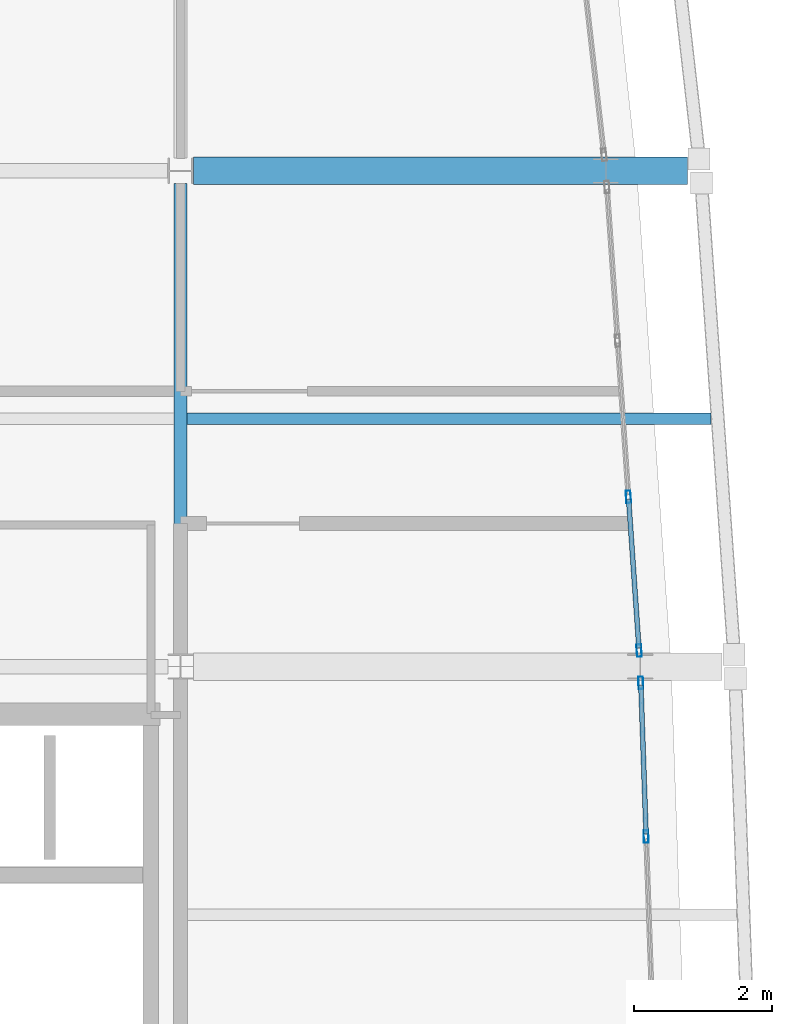
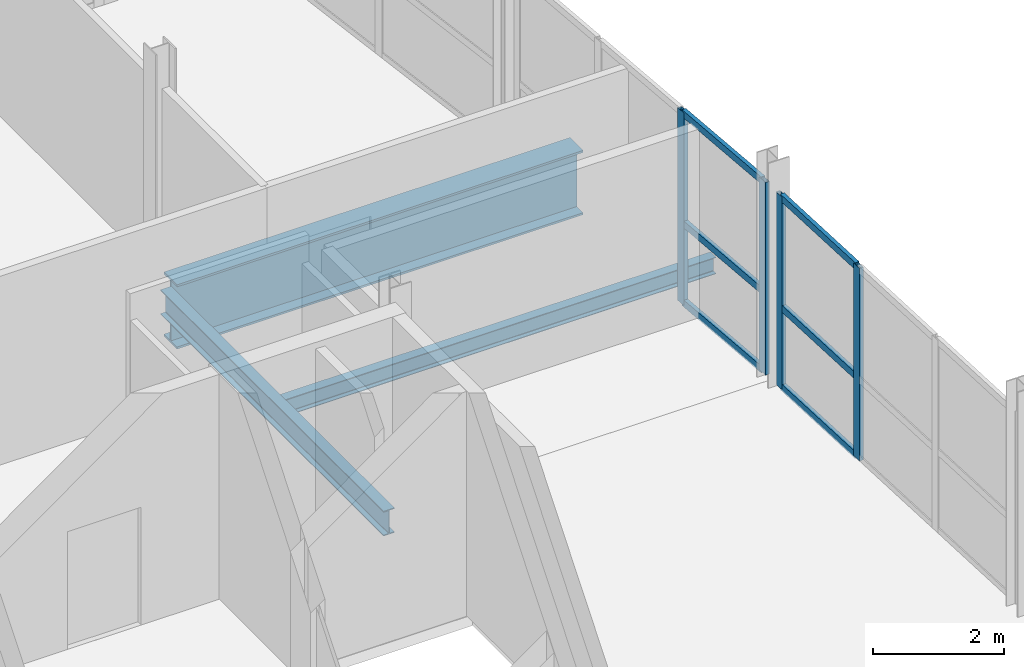
# One storey, part 8 of 19: 10 members, 3 beams, 2 elements without a shape of their own.
"""IFC4 building model written with IfcOpenShell, lengths in metres."""

import ifcopenshell
import ifcopenshell.guid

model = None  # the IFC model being written
_history = None  # IfcOwnerHistory: only IFC2X3 demands one
_inside = {}  # id of a spatial element -> (the spatial element, [elements in it])
_under = {}  # id of a project, library or spatial element -> (it, [spatial elements below it])
_declared = {}  # id of a project -> (the project, [libraries it declares])
_typed = {}  # id of a type object -> (the type object, [elements of that type])
_made_of = {}  # id of a material, layer set ... -> (it, [elements and type objects made of it])


def new_model(schema):
    """Start an empty IFC model of exactly this schema.

    Asked for "IFC4X3", IfcOpenShell would pick the latest addendum, in which some entities
    have other attributes; the version numbers below select the first issue.
    IFC2X3 requires an IfcOwnerHistory on every rooted entity: one is made here for all.
    """
    global model, _history
    if schema == "IFC4X3":
        model = ifcopenshell.file(schema_version=(4, 3, 0, 0))
    else:
        model = ifcopenshell.file(schema=schema)
    _inside.clear()
    _under.clear()
    _declared.clear()
    _typed.clear()
    _made_of.clear()
    _history = None
    if model.schema == "IFC2X3":
        org = make("IfcOrganization", Name="unknown")
        user = make(
            "IfcPersonAndOrganization",
            ThePerson=make("IfcPerson", FamilyName="unknown"),
            TheOrganization=org,
        )
        app = make(
            "IfcApplication",
            ApplicationDeveloper=org,
            Version="unknown",
            ApplicationFullName="unknown",
            ApplicationIdentifier="unknown",
        )
        _history = make(
            "IfcOwnerHistory",
            OwningUser=user,
            OwningApplication=app,
            ChangeAction="ADDED",
            CreationDate=0,
        )
    return model


def make(cls, **values):
    """One entity of the class cls with the attributes given. An attribute that is None is left unset."""
    return model.create_entity(
        cls, **{name: value for name, value in values.items() if value is not None}
    )


def rooted(cls, **values):
    """An entity with a GlobalId (a new one), such as an element, a storey or a relation."""
    return make(cls, GlobalId=ifcopenshell.guid.new(), OwnerHistory=_history, **values)


def si_unit(unit_type, name, prefix=None):
    """IfcSIUnit, for example si_unit("LENGTHUNIT", "METRE", prefix="MILLI")."""
    return make("IfcSIUnit", UnitType=unit_type, Prefix=prefix, Name=name)


def assignment(units):
    """IfcUnitAssignment: the units of a project."""
    return None if units is None else make("IfcUnitAssignment", Units=units)


def point(xyz):
    """IfcCartesianPoint."""
    return None if xyz is None else make("IfcCartesianPoint", Coordinates=xyz)


def direction(xyz):
    """IfcDirection."""
    return None if xyz is None else make("IfcDirection", DirectionRatios=xyz)


def frame(location, z_axis=None, x_axis=None):
    """IfcAxis2Placement3D, a coordinate frame: its origin and axes. An axis left out is left unset."""
    return make(
        "IfcAxis2Placement3D",
        Location=point(location),
        Axis=direction(z_axis),
        RefDirection=direction(x_axis),
    )


def frame_2d(location, x_axis=None):
    """IfcAxis2Placement2D, a coordinate frame in the plane: its origin and x axis."""
    return make(
        "IfcAxis2Placement2D", Location=point(location), RefDirection=direction(x_axis)
    )


def origin():
    """The frame at (0, 0, 0) with its axes left unset."""
    return frame((0.0, 0.0, 0.0))


def origin_2d():
    """The frame at (0, 0) in the plane with its x axis left unset."""
    return frame_2d((0.0, 0.0))


def place(relative_to, where):
    """IfcLocalPlacement: puts the frame where relative to a parent placement (None: the world)."""
    return make(
        "IfcLocalPlacement", PlacementRelTo=relative_to, RelativePlacement=where
    )


def context(
    kind, dimensions, precision=None, world=None, true_north=None, identifier=None
):
    """IfcGeometricRepresentationContext, for example the 3D "Model" context."""
    return make(
        "IfcGeometricRepresentationContext",
        ContextIdentifier=identifier,
        ContextType=kind,
        CoordinateSpaceDimension=dimensions,
        Precision=precision,
        WorldCoordinateSystem=world,
        TrueNorth=true_north,
    )


def subcontext(parent, identifier, kind, view, scale=None):
    """IfcGeometricRepresentationSubContext, for example "Body" below "Model"."""
    return make(
        "IfcGeometricRepresentationSubContext",
        ContextIdentifier=identifier,
        ContextType=kind,
        ParentContext=parent,
        TargetScale=scale,
        TargetView=view,
    )


def project(units=None, contexts=None):
    """IfcProject with its units and contexts."""
    return rooted(
        "IfcProject",
        Name="project",
        RepresentationContexts=contexts,
        UnitsInContext=assignment(units),
    )


def spatial(cls, under=None, at=None, **own):
    """A site, building, storey or space (cls), placed at a placement, below another one or the project."""
    s = rooted(cls, ObjectPlacement=at, **own)
    if under is not None:
        _under.setdefault(under.id(), (under, []))[1].append(s)
    return s


def profile(cls, at=None, kind="AREA", **sizes):
    """A parametric profile (cls). Its sizes go by their IFC names, for example OverallWidth=200.0."""
    return make(cls, ProfileType=kind, Position=at, **sizes)


def hollow_rectangle(**sizes):
    """IfcRectangleHollowProfileDef."""
    return profile("IfcRectangleHollowProfileDef", **sizes)


def i_section(**sizes):
    """IfcIShapeProfileDef."""
    return profile("IfcIShapeProfileDef", **sizes)


def extrude(swept, where, along, depth):
    """IfcExtrudedAreaSolid: the profile swept, set in the frame where, extruded along a direction by depth."""
    return make(
        "IfcExtrudedAreaSolid",
        SweptArea=swept,
        Position=where,
        ExtrudedDirection=direction(along),
        Depth=depth,
    )


def shape(context_of_items, identifier, shape_type, items):
    """IfcShapeRepresentation: the items that make up one representation, for example the "Body"."""
    return make(
        "IfcShapeRepresentation",
        ContextOfItems=context_of_items,
        RepresentationIdentifier=identifier,
        RepresentationType=shape_type,
        Items=items,
    )


def material(Name=None, Category=None):
    """IfcMaterial."""
    return make("IfcMaterial", Name=Name, Category=Category)


def layer(
    of_material, thickness, ventilated=None, Name=None, Category=None, Priority=None
):
    """IfcMaterialLayer: one layer of a wall or slab, of a material (None: an air gap)."""
    return make(
        "IfcMaterialLayer",
        Material=of_material,
        LayerThickness=thickness,
        IsVentilated=ventilated,
        Name=Name,
        Category=Category,
        Priority=Priority,
    )


def layer_set(layers, Name=None):
    """IfcMaterialLayerSet."""
    return make("IfcMaterialLayerSet", MaterialLayers=layers, LayerSetName=Name)


def material_profile(
    of_material, cross_section, Name=None, Category=None, Priority=None
):
    """IfcMaterialProfile: a cross section and its material."""
    return make(
        "IfcMaterialProfile",
        Name=Name,
        Material=of_material,
        Profile=cross_section,
        Priority=Priority,
        Category=Category,
    )


def profile_set(profiles, Name=None, composite=None):
    """IfcMaterialProfileSet."""
    return make(
        "IfcMaterialProfileSet",
        Name=Name,
        MaterialProfiles=profiles,
        CompositeProfile=composite,
    )


def made_of(thing, what):
    """Note that an element or type object is made of a material, layer set ...; save() writes the relation."""
    if what is not None:
        _made_of.setdefault(what.id(), (what, []))[1].append(thing)
    return thing


def type_object(cls, material=None, **own):
    """A type object (cls), such as IfcWallType, which elements share."""
    return made_of(rooted(cls, **own), material)


def element(
    cls,
    number,
    at=None,
    inside=None,
    cuts=None,
    type_object=None,
    material=None,
    context=None,
    identifier="Body",
    shape_type=None,
    held_by="IfcProductDefinitionShape",
    body=None,
    shapes=None,
    **own,
):
    """One element of the class cls, such as IfcWall. Its Tag is "e" and its number.

    at: its placement. inside: the storey or other place that contains it. cuts: it is an
    opening in that element (IfcRelVoidsElement). A single representation is given by context,
    identifier, shape_type and body (its items); several are given by shapes. held_by: the class
    of the entity that holds the representations. save() writes the other relations.
    """
    e = rooted(cls, Tag="e%d" % number, ObjectPlacement=at, **own)
    if body is not None:
        shapes = [shape(context, identifier, shape_type, body)]
    if shapes is not None:
        e.Representation = make(held_by, Representations=shapes)
    if inside is not None:
        _inside.setdefault(inside.id(), (inside, []))[1].append(e)
    if cuts is not None:
        rooted(
            "IfcRelVoidsElement", RelatingBuildingElement=cuts, RelatedOpeningElement=e
        )
    if type_object is not None:
        _typed.setdefault(type_object.id(), (type_object, []))[1].append(e)
    return made_of(e, material)


def aggregate(whole, parts):
    """IfcRelAggregates: a whole, such as a stair, and the parts it consists of."""
    return rooted("IfcRelAggregates", RelatingObject=whole, RelatedObjects=parts)


def save(model, path):
    """Write the relations noted so far, then the file.

    IfcRelAggregates (storeys below a building ...), IfcRelContainedInSpatialStructure (elements
    in a storey), IfcRelDefinesByType, IfcRelAssociatesMaterial and IfcRelDeclares: one each for
    every whole, place, type object, material and project.
    """
    for whole, parts in _under.values():
        aggregate(whole, parts)
    for where, things in _inside.values():
        rooted(
            "IfcRelContainedInSpatialStructure",
            RelatedElements=things,
            RelatingStructure=where,
        )
    for kind, things in _typed.values():
        rooted("IfcRelDefinesByType", RelatedObjects=things, RelatingType=kind)
    for what, things in _made_of.values():
        rooted("IfcRelAssociatesMaterial", RelatedObjects=things, RelatingMaterial=what)
    for by, libraries in _declared.values():
        rooted("IfcRelDeclares", RelatingContext=by, RelatedDefinitions=libraries)
    model.write(path)


model = new_model("IFC4")

# Units and contexts
model_context = context("Model", 3, precision=1e-05, world=origin(), true_north=direction((0.0, 1.0)))
body_context = subcontext(model_context, "Body", "Model", "MODEL_VIEW")
ifc_project = project(units=[si_unit("LENGTHUNIT", "METRE"), si_unit("AREAUNIT", "SQUARE_METRE"), si_unit("VOLUMEUNIT", "CUBIC_METRE"), si_unit("PLANEANGLEUNIT", "RADIAN"), si_unit("MASSUNIT", "GRAM", prefix="KILO")], contexts=[model_context])

# Site, building, storey
site_placement = place(None, origin())
site = spatial("IfcSite", under=ifc_project, at=site_placement, CompositionType="ELEMENT")
building_placement = place(site_placement, origin())
building = spatial("IfcBuilding", under=site, at=building_placement, Name="Quillay Park Conservatory", CompositionType="ELEMENT")
storey_placement = place(building_placement, frame((0.0, 0.0, 35.10009765625)))
storey = spatial("IfcBuildingStorey", under=building, at=storey_placement, Name="L08", CompositionType="ELEMENT", Elevation=35.10009765625)

# Beam
ifc_material_1 = material(Name="Steel ASTM A992 Grade 50", Category="steel")
ifc_material_profile_1 = material_profile(ifc_material_1, i_section(OverallWidth=0.166015625, OverallDepth=0.31298828125, WebThickness=0.006591796875, FlangeThickness=0.01123046875, FilletRadius=0.010009765625, at=origin_2d()), Name="W310x45")
ifc_profile_set_1 = profile_set([ifc_material_profile_1], Name="Steel ASTM A992 Grade 50")
beam_type_1 = type_object("IfcBeamType", Name="COMPOSITE FLOOR JOIST W310 X45", PredefinedType="JOIST", material=ifc_profile_set_1)
beam_1_placement = place(storey_placement, frame((19.845947265625, 103.199951171875, -0.37158203125), z_axis=(1.0, 0.0, 0.0), x_axis=(0.0, 1.0, 0.0)))
element("IfcBeam", 1, at=beam_1_placement, inside=storey, type_object=beam_type_1, Name="L08 beam BM-J-0643", PredefinedType="JOIST", context=body_context, shape_type="SweptSolid", body=[
    extrude(i_section(OverallWidth=0.166015625, OverallDepth=0.31298828125, WebThickness=0.006591796875, FlangeThickness=0.01123046875, FilletRadius=0.010009765625, at=origin_2d()), origin(), (0.0, 0.0, 1.0), 7.60400390625),
])

# Curtain wall, members
ifc_material_2 = material(Name="Thermally Broken Anodised Aluminium 6063-T6", Category="aluminium")
ifc_layer = layer(ifc_material_2, 0.179931640625)
ifc_layer_set = layer_set([ifc_layer], Name="UNITISED CURTAIN WALL TOWER (Thermally Broken Anodised Aluminium 6063-T6)")
curtain_wall_type = type_object("IfcCurtainWallType", Name="UNITISED CURTAIN WALL TOWER", PredefinedType="USERDEFINED", material=ifc_layer_set)
curtain_wall_1_placement = place(storey_placement, origin())
curtain_wall_1 = element("IfcCurtainWall", 2, at=curtain_wall_1_placement, inside=storey, type_object=curtain_wall_type, Name="L08 Unitised Curtain Wall 081", ObjectType="UNITISED CURTAIN WALL", PredefinedType="USERDEFINED")
ifc_material_3 = material(Name="Thermally Broken Anodised Aluminium 6063-T6", Category="aluminium")
ifc_material_profile_2 = material_profile(ifc_material_3, hollow_rectangle(XDim=0.070068359375, YDim=0.179931640625, WallThickness=0.00390625, at=origin_2d()), Name="AL70x180x4")
ifc_profile_set_2 = profile_set([ifc_material_profile_2], Name="Thermally Broken Anodised Aluminium 6063-T6")
member_type_1 = type_object("IfcMemberType", Name="CURTAIN WALL MULLION 70 X180", PredefinedType="MULLION", material=ifc_profile_set_2)
member_1_placement = place(storey_placement, frame((26.43310546875, 99.365234375, 0.0), z_axis=(0.0, 0.0, 1.0), x_axis=(0.999397310446, 0.034713338537, 0.0)))
member_1 = element("IfcMember", 3, at=member_1_placement, type_object=member_type_1, Name="CW-T1 mullion 1", PredefinedType="MULLION", context=body_context, shape_type="SweptSolid", body=[
    extrude(hollow_rectangle(XDim=0.070068359375, YDim=0.179931640625, WallThickness=0.00390625, at=origin_2d()), origin(), (0.0, 0.0, 1.0), 3.598876953125),
])
member_2_placement = place(storey_placement, frame((26.5107421875, 97.13330078125, 0.0), z_axis=(0.0, 0.0, 1.0), x_axis=(0.999397310446, 0.034713338537, 0.0)))
member_2 = element("IfcMember", 4, at=member_2_placement, type_object=member_type_1, Name="CW-T1 mullion 2", PredefinedType="MULLION", context=body_context, shape_type="SweptSolid", body=[
    extrude(hollow_rectangle(XDim=0.070068359375, YDim=0.179931640625, WallThickness=0.00390625, at=origin_2d()), origin(), (0.0, 0.0, 1.0), 3.598876953125),
])

curtain_wall_2_placement = place(storey_placement, origin())
curtain_wall_2 = element("IfcCurtainWall", 5, at=curtain_wall_2_placement, inside=storey, type_object=curtain_wall_type, Name="L08 Unitised Curtain Wall 082", ObjectType="UNITISED CURTAIN WALL", PredefinedType="USERDEFINED")
member_3_placement = place(storey_placement, frame((26.253662109375, 102.06640625, 0.0), z_axis=(0.0, 0.0, 1.0), x_axis=(0.99759835015, 0.069264217159, 0.0)))
member_3 = element("IfcMember", 6, at=member_3_placement, type_object=member_type_1, Name="CW-T1 mullion 3", PredefinedType="MULLION", context=body_context, shape_type="SweptSolid", body=[
    extrude(hollow_rectangle(XDim=0.070068359375, YDim=0.179931640625, WallThickness=0.00390625, at=origin_2d()), origin(), (0.0, 0.0, 1.0), 3.598876953125),
])
member_4_placement = place(storey_placement, frame((26.40869140625, 99.83447265625, 0.0), z_axis=(0.0, 0.0, 1.0), x_axis=(0.99759835015, 0.069264217159, 0.0)))
member_4 = element("IfcMember", 7, at=member_4_placement, type_object=member_type_1, Name="CW-T1 mullion 4", PredefinedType="MULLION", context=body_context, shape_type="SweptSolid", body=[
    extrude(hollow_rectangle(XDim=0.070068359375, YDim=0.179931640625, WallThickness=0.00390625, at=origin_2d()), origin(), (0.0, 0.0, 1.0), 3.598876953125),
])

# Member
ifc_material_4 = material(Name="Thermally Broken Anodised Aluminium 6063-T6", Category="aluminium")
ifc_material_profile_3 = material_profile(ifc_material_4, hollow_rectangle(XDim=0.070068359375, YDim=0.1298828125, WallThickness=0.003173828125, at=origin_2d()), Name="AL70x130x3.2")
ifc_profile_set_3 = profile_set([ifc_material_profile_3], Name="Thermally Broken Anodised Aluminium 6063-T6")
member_type_2 = type_object("IfcMemberType", Name="CURTAIN WALL TRANSOM 70 X130", PredefinedType="USERDEFINED", material=ifc_profile_set_3)
member_5_placement = place(storey_placement, frame((26.434326171875, 99.330078125, 0.034912109375), z_axis=(0.034765508592, -0.999395496994, 0.0), x_axis=(0.999395496994, 0.034765508592, 0.0)))
member_5 = element("IfcMember", 8, at=member_5_placement, type_object=member_type_2, Name="CW-T1 transom 1.1", ObjectType="TRANSOM", PredefinedType="USERDEFINED", context=body_context, shape_type="SweptSolid", body=[
    extrude(hollow_rectangle(XDim=0.070068359375, YDim=0.1298828125, WallThickness=0.003173828125, at=origin_2d()), origin(), (0.0, 0.0, 1.0), 2.162841796875),
])

member_6_placement = place(storey_placement, frame((26.434326171875, 99.330078125, 1.511474609375), z_axis=(0.034765508592, -0.999395496994, 0.0), x_axis=(0.999395496994, 0.034765508592, 0.0)))
member_6 = element("IfcMember", 9, at=member_6_placement, type_object=member_type_2, Name="CW-T1 transom 1.2", ObjectType="TRANSOM", PredefinedType="USERDEFINED", context=body_context, shape_type="SweptSolid", body=[
    extrude(hollow_rectangle(XDim=0.070068359375, YDim=0.1298828125, WallThickness=0.003173828125, at=origin_2d()), origin(), (0.0, 0.0, 1.0), 2.162841796875),
])

member_7_placement = place(storey_placement, frame((26.434326171875, 99.330078125, 3.56396484375), z_axis=(0.034765508592, -0.999395496994, 0.0), x_axis=(0.999395496994, 0.034765508592, 0.0)))
member_7 = element("IfcMember", 10, at=member_7_placement, type_object=member_type_2, Name="CW-T1 transom 1.3", ObjectType="TRANSOM", PredefinedType="USERDEFINED", context=body_context, shape_type="SweptSolid", body=[
    extrude(hollow_rectangle(XDim=0.070068359375, YDim=0.1298828125, WallThickness=0.003173828125, at=origin_2d()), origin(), (0.0, 0.0, 1.0), 2.162841796875),
])

aggregate(curtain_wall_1, [member_1, member_2, member_5, member_6, member_7])

member_8_placement = place(storey_placement, frame((26.256103515625, 102.031494140625, 0.034912109375), z_axis=(0.069277598678, -0.997597420968, 0.0), x_axis=(0.997597420968, 0.069277598678, 0.0)))
member_8 = element("IfcMember", 11, at=member_8_placement, type_object=member_type_2, Name="CW-T1 transom 3.1", ObjectType="TRANSOM", PredefinedType="USERDEFINED", context=body_context, shape_type="SweptSolid", body=[
    extrude(hollow_rectangle(XDim=0.070068359375, YDim=0.1298828125, WallThickness=0.003173828125, at=origin_2d()), origin(), (0.0, 0.0, 1.0), 2.167236328125),
])

member_9_placement = place(storey_placement, frame((26.256103515625, 102.031494140625, 1.511474609375), z_axis=(0.069277598678, -0.997597420968, 0.0), x_axis=(0.997597420968, 0.069277598678, 0.0)))
member_9 = element("IfcMember", 12, at=member_9_placement, type_object=member_type_2, Name="CW-T1 transom 3.2", ObjectType="TRANSOM", PredefinedType="USERDEFINED", context=body_context, shape_type="SweptSolid", body=[
    extrude(hollow_rectangle(XDim=0.070068359375, YDim=0.1298828125, WallThickness=0.003173828125, at=origin_2d()), origin(), (0.0, 0.0, 1.0), 2.167236328125),
])

member_10_placement = place(storey_placement, frame((26.256103515625, 102.031494140625, 3.56396484375), z_axis=(0.069277598678, -0.997597420968, 0.0), x_axis=(0.997597420968, 0.069277598678, 0.0)))
member_10 = element("IfcMember", 13, at=member_10_placement, type_object=member_type_2, Name="CW-T1 transom 3.3", ObjectType="TRANSOM", PredefinedType="USERDEFINED", context=body_context, shape_type="SweptSolid", body=[
    extrude(hollow_rectangle(XDim=0.070068359375, YDim=0.1298828125, WallThickness=0.003173828125, at=origin_2d()), origin(), (0.0, 0.0, 1.0), 2.167236328125),
])

aggregate(curtain_wall_2, [member_3, member_4, member_8, member_9, member_10])

# Beams
ifc_material_5 = material(Name="Steel ASTM A992 Grade 50", Category="steel")
ifc_material_profile_4 = material_profile(ifc_material_5, i_section(OverallWidth=0.19189453125, OverallDepth=0.462890625, WebThickness=0.010498046875, FlangeThickness=0.017578125, FilletRadius=0.012939453125, at=origin_2d()), Name="W460x89")
ifc_profile_set_4 = profile_set([ifc_material_profile_4], Name="Steel ASTM A992 Grade 50")
beam_type_2 = type_object("IfcBeamType", Name="PRIMARY FLOOR GIRDER W460 X89", PredefinedType="BEAM", material=ifc_profile_set_4)
beam_2_placement = place(storey_placement, frame((19.75, 99.787109375, -0.446533203125), z_axis=(0.0, 1.0, 0.0), x_axis=(-1.0, 0.0, 0.0)))
element("IfcBeam", 14, at=beam_2_placement, inside=storey, type_object=beam_type_2, Name="L08 beam BM-GNS-0641", PredefinedType="BEAM", context=body_context, shape_type="SweptSolid", body=[
    extrude(i_section(OverallWidth=0.19189453125, OverallDepth=0.462890625, WebThickness=0.010498046875, FlangeThickness=0.017578125, FilletRadius=0.012939453125, at=origin_2d()), origin(), (0.0, 0.0, 1.0), 6.826904296875),
])
ifc_material_6 = material(Name="Steel ASTM A572 Grade 50", Category="steel")
ifc_material_profile_5 = material_profile(ifc_material_6, i_section(OverallWidth=0.39990234375, OverallDepth=1.199951171875, WebThickness=0.02001953125, FlangeThickness=0.0380859375, at=origin_2d()), Name="IG1200x400")
ifc_profile_set_5 = profile_set([ifc_material_profile_5], Name="Steel ASTM A572 Grade 50")
beam_type_3 = type_object("IfcBeamType", Name="TRANSFER PLATE GIRDER IG1200", PredefinedType="USERDEFINED", material=ifc_profile_set_5)
beam_3_placement = place(storey_placement, frame((19.93701171875, 106.800048828125, -0.815185546875), z_axis=(1.0, 0.0, 0.0), x_axis=(0.0, 1.0, 0.0)))
element("IfcBeam", 15, at=beam_3_placement, inside=storey, type_object=beam_type_3, Name="L08 beam BM-TG2-0602", ObjectType="TRANSFER PLATE GIRDER", PredefinedType="USERDEFINED", context=body_context, shape_type="SweptSolid", body=[
    extrude(i_section(OverallWidth=0.39990234375, OverallDepth=1.199951171875, WebThickness=0.02001953125, FlangeThickness=0.0380859375, at=origin_2d()), origin(), (0.0, 0.0, 1.0), 7.176025390625),
])

save(model, "model.ifc")
